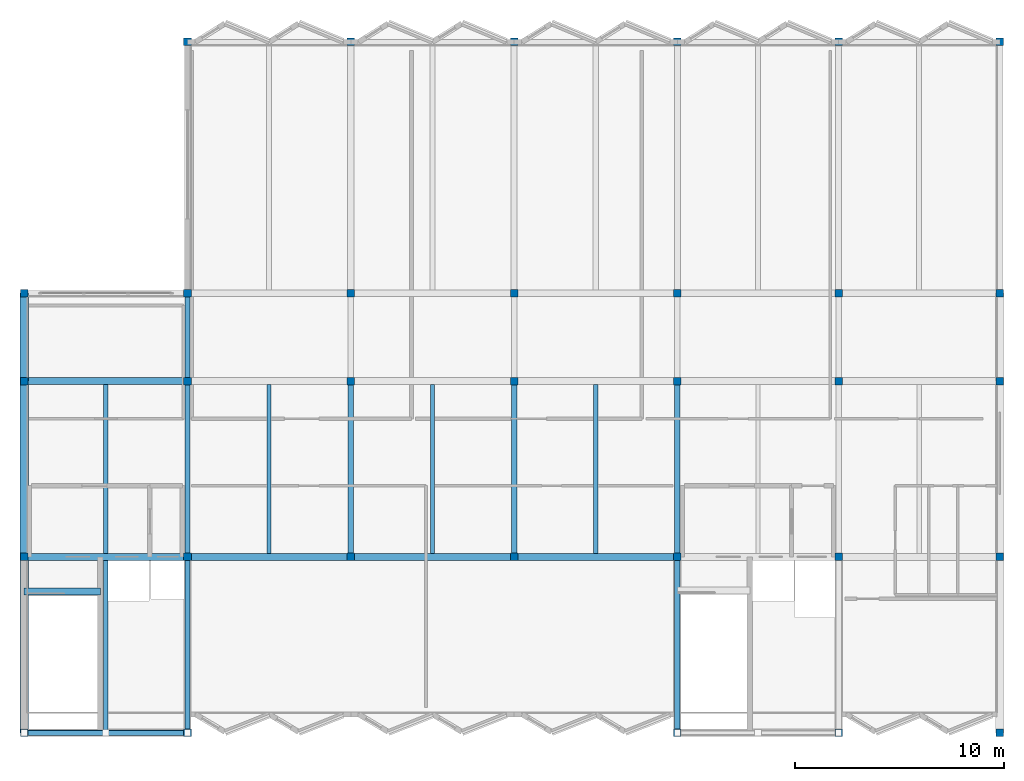
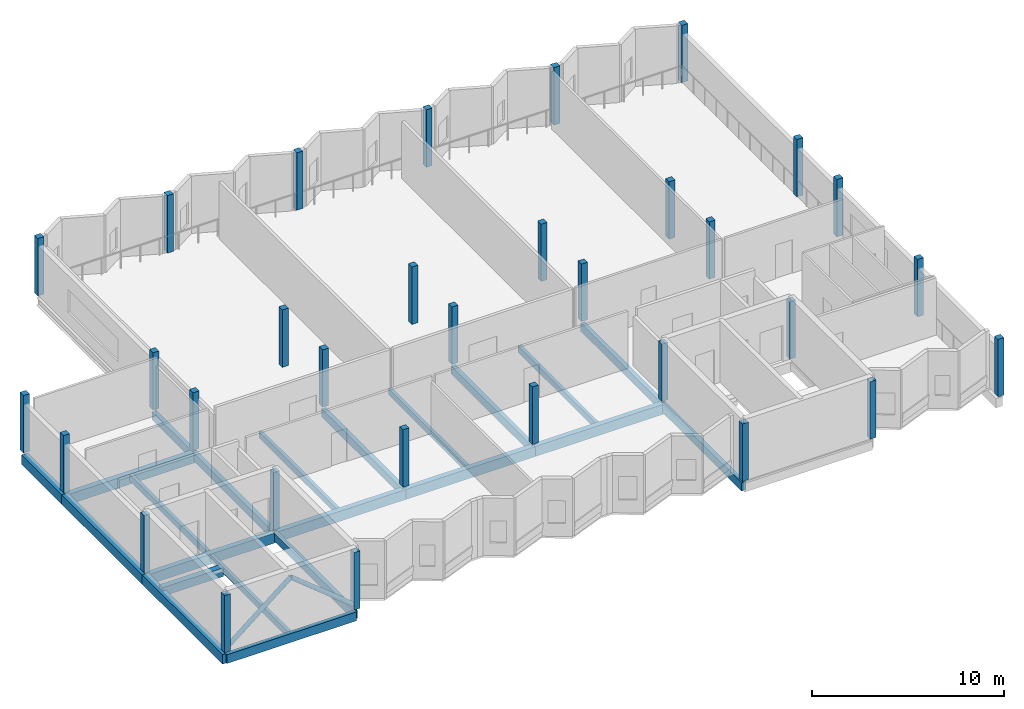
# One storey, part 1 of 8: 32 columns, 22 beams, 2 members.
"""IFC4 building model written with IfcOpenShell, lengths in metres."""

import ifcopenshell
import ifcopenshell.guid

model = None  # the IFC model being written
_history = None  # IfcOwnerHistory: only IFC2X3 demands one
_inside = {}  # id of a spatial element -> (the spatial element, [elements in it])
_under = {}  # id of a project, library or spatial element -> (it, [spatial elements below it])
_declared = {}  # id of a project -> (the project, [libraries it declares])
_typed = {}  # id of a type object -> (the type object, [elements of that type])
_made_of = {}  # id of a material, layer set ... -> (it, [elements and type objects made of it])


def new_model(schema):
    """Start an empty IFC model of exactly this schema.

    Asked for "IFC4X3", IfcOpenShell would pick the latest addendum, in which some entities
    have other attributes; the version numbers below select the first issue.
    IFC2X3 requires an IfcOwnerHistory on every rooted entity: one is made here for all.
    """
    global model, _history
    if schema == "IFC4X3":
        model = ifcopenshell.file(schema_version=(4, 3, 0, 0))
    else:
        model = ifcopenshell.file(schema=schema)
    _inside.clear()
    _under.clear()
    _declared.clear()
    _typed.clear()
    _made_of.clear()
    _history = None
    if model.schema == "IFC2X3":
        org = make("IfcOrganization", Name="unknown")
        user = make(
            "IfcPersonAndOrganization",
            ThePerson=make("IfcPerson", FamilyName="unknown"),
            TheOrganization=org,
        )
        app = make(
            "IfcApplication",
            ApplicationDeveloper=org,
            Version="unknown",
            ApplicationFullName="unknown",
            ApplicationIdentifier="unknown",
        )
        _history = make(
            "IfcOwnerHistory",
            OwningUser=user,
            OwningApplication=app,
            ChangeAction="ADDED",
            CreationDate=0,
        )
    return model


def make(cls, **values):
    """One entity of the class cls with the attributes given. An attribute that is None is left unset."""
    return model.create_entity(
        cls, **{name: value for name, value in values.items() if value is not None}
    )


def rooted(cls, **values):
    """An entity with a GlobalId (a new one), such as an element, a storey or a relation."""
    return make(cls, GlobalId=ifcopenshell.guid.new(), OwnerHistory=_history, **values)


def si_unit(unit_type, name, prefix=None):
    """IfcSIUnit, for example si_unit("LENGTHUNIT", "METRE", prefix="MILLI")."""
    return make("IfcSIUnit", UnitType=unit_type, Prefix=prefix, Name=name)


def assignment(units):
    """IfcUnitAssignment: the units of a project."""
    return None if units is None else make("IfcUnitAssignment", Units=units)


def point(xyz):
    """IfcCartesianPoint."""
    return None if xyz is None else make("IfcCartesianPoint", Coordinates=xyz)


def direction(xyz):
    """IfcDirection."""
    return None if xyz is None else make("IfcDirection", DirectionRatios=xyz)


def frame(location, z_axis=None, x_axis=None):
    """IfcAxis2Placement3D, a coordinate frame: its origin and axes. An axis left out is left unset."""
    return make(
        "IfcAxis2Placement3D",
        Location=point(location),
        Axis=direction(z_axis),
        RefDirection=direction(x_axis),
    )


def frame_2d(location, x_axis=None):
    """IfcAxis2Placement2D, a coordinate frame in the plane: its origin and x axis."""
    return make(
        "IfcAxis2Placement2D", Location=point(location), RefDirection=direction(x_axis)
    )


def origin():
    """The frame at (0, 0, 0) with its axes left unset."""
    return frame((0.0, 0.0, 0.0))


def origin_2d():
    """The frame at (0, 0) in the plane with its x axis left unset."""
    return frame_2d((0.0, 0.0))


def place(relative_to, where):
    """IfcLocalPlacement: puts the frame where relative to a parent placement (None: the world)."""
    return make(
        "IfcLocalPlacement", PlacementRelTo=relative_to, RelativePlacement=where
    )


def context(
    kind, dimensions, precision=None, world=None, true_north=None, identifier=None
):
    """IfcGeometricRepresentationContext, for example the 3D "Model" context."""
    return make(
        "IfcGeometricRepresentationContext",
        ContextIdentifier=identifier,
        ContextType=kind,
        CoordinateSpaceDimension=dimensions,
        Precision=precision,
        WorldCoordinateSystem=world,
        TrueNorth=true_north,
    )


def subcontext(parent, identifier, kind, view, scale=None):
    """IfcGeometricRepresentationSubContext, for example "Body" below "Model"."""
    return make(
        "IfcGeometricRepresentationSubContext",
        ContextIdentifier=identifier,
        ContextType=kind,
        ParentContext=parent,
        TargetScale=scale,
        TargetView=view,
    )


def project(units=None, contexts=None):
    """IfcProject with its units and contexts."""
    return rooted(
        "IfcProject",
        Name="project",
        RepresentationContexts=contexts,
        UnitsInContext=assignment(units),
    )


def spatial(cls, under=None, at=None, **own):
    """A site, building, storey or space (cls), placed at a placement, below another one or the project."""
    s = rooted(cls, ObjectPlacement=at, **own)
    if under is not None:
        _under.setdefault(under.id(), (under, []))[1].append(s)
    return s


def profile(cls, at=None, kind="AREA", **sizes):
    """A parametric profile (cls). Its sizes go by their IFC names, for example OverallWidth=200.0."""
    return make(cls, ProfileType=kind, Position=at, **sizes)


def rectangle(**sizes):
    """IfcRectangleProfileDef."""
    return profile("IfcRectangleProfileDef", **sizes)


def hollow_circle(**sizes):
    """IfcCircleHollowProfileDef."""
    return profile("IfcCircleHollowProfileDef", **sizes)


def extrude(swept, where, along, depth):
    """IfcExtrudedAreaSolid: the profile swept, set in the frame where, extruded along a direction by depth."""
    return make(
        "IfcExtrudedAreaSolid",
        SweptArea=swept,
        Position=where,
        ExtrudedDirection=direction(along),
        Depth=depth,
    )


def shape(context_of_items, identifier, shape_type, items):
    """IfcShapeRepresentation: the items that make up one representation, for example the "Body"."""
    return make(
        "IfcShapeRepresentation",
        ContextOfItems=context_of_items,
        RepresentationIdentifier=identifier,
        RepresentationType=shape_type,
        Items=items,
    )


def material(Name=None, Category=None):
    """IfcMaterial."""
    return make("IfcMaterial", Name=Name, Category=Category)


def material_profile(
    of_material, cross_section, Name=None, Category=None, Priority=None
):
    """IfcMaterialProfile: a cross section and its material."""
    return make(
        "IfcMaterialProfile",
        Name=Name,
        Material=of_material,
        Profile=cross_section,
        Priority=Priority,
        Category=Category,
    )


def profile_set(profiles, Name=None, composite=None):
    """IfcMaterialProfileSet."""
    return make(
        "IfcMaterialProfileSet",
        Name=Name,
        MaterialProfiles=profiles,
        CompositeProfile=composite,
    )


def made_of(thing, what):
    """Note that an element or type object is made of a material, layer set ...; save() writes the relation."""
    if what is not None:
        _made_of.setdefault(what.id(), (what, []))[1].append(thing)
    return thing


def type_object(cls, material=None, **own):
    """A type object (cls), such as IfcWallType, which elements share."""
    return made_of(rooted(cls, **own), material)


def element(
    cls,
    number,
    at=None,
    inside=None,
    cuts=None,
    type_object=None,
    material=None,
    context=None,
    identifier="Body",
    shape_type=None,
    held_by="IfcProductDefinitionShape",
    body=None,
    shapes=None,
    **own,
):
    """One element of the class cls, such as IfcWall. Its Tag is "e" and its number.

    at: its placement. inside: the storey or other place that contains it. cuts: it is an
    opening in that element (IfcRelVoidsElement). A single representation is given by context,
    identifier, shape_type and body (its items); several are given by shapes. held_by: the class
    of the entity that holds the representations. save() writes the other relations.
    """
    e = rooted(cls, Tag="e%d" % number, ObjectPlacement=at, **own)
    if body is not None:
        shapes = [shape(context, identifier, shape_type, body)]
    if shapes is not None:
        e.Representation = make(held_by, Representations=shapes)
    if inside is not None:
        _inside.setdefault(inside.id(), (inside, []))[1].append(e)
    if cuts is not None:
        rooted(
            "IfcRelVoidsElement", RelatingBuildingElement=cuts, RelatedOpeningElement=e
        )
    if type_object is not None:
        _typed.setdefault(type_object.id(), (type_object, []))[1].append(e)
    return made_of(e, material)


def aggregate(whole, parts):
    """IfcRelAggregates: a whole, such as a stair, and the parts it consists of."""
    return rooted("IfcRelAggregates", RelatingObject=whole, RelatedObjects=parts)


def save(model, path):
    """Write the relations noted so far, then the file.

    IfcRelAggregates (storeys below a building ...), IfcRelContainedInSpatialStructure (elements
    in a storey), IfcRelDefinesByType, IfcRelAssociatesMaterial and IfcRelDeclares: one each for
    every whole, place, type object, material and project.
    """
    for whole, parts in _under.values():
        aggregate(whole, parts)
    for where, things in _inside.values():
        rooted(
            "IfcRelContainedInSpatialStructure",
            RelatedElements=things,
            RelatingStructure=where,
        )
    for kind, things in _typed.values():
        rooted("IfcRelDefinesByType", RelatedObjects=things, RelatingType=kind)
    for what, things in _made_of.values():
        rooted("IfcRelAssociatesMaterial", RelatedObjects=things, RelatingMaterial=what)
    for by, libraries in _declared.values():
        rooted("IfcRelDeclares", RelatingContext=by, RelatedDefinitions=libraries)
    model.write(path)


model = new_model("IFC4")

# Units and contexts
model_context = context("Model", 3, precision=1e-05, world=origin(), true_north=direction((0.0, 1.0)))
body_context = subcontext(model_context, "Body", "Model", "MODEL_VIEW")
ifc_project = project(units=[si_unit("LENGTHUNIT", "METRE"), si_unit("AREAUNIT", "SQUARE_METRE"), si_unit("VOLUMEUNIT", "CUBIC_METRE"), si_unit("PLANEANGLEUNIT", "RADIAN"), si_unit("MASSUNIT", "GRAM", prefix="KILO")], contexts=[model_context])

# Site, building, storey
site_placement = place(None, origin())
site = spatial("IfcSite", under=ifc_project, at=site_placement, CompositionType="ELEMENT")
building_placement = place(site_placement, origin())
building = spatial("IfcBuilding", under=site, at=building_placement, Name="Vharandega Faculty of Natural Sciences", CompositionType="ELEMENT")
storey_placement = place(building_placement, frame((0.0, 0.0, 43.199951171875)))
storey = spatial("IfcBuildingStorey", under=building, at=storey_placement, Name="L11", CompositionType="ELEMENT", Elevation=43.199951171875)

# Columns
ifc_material_1 = material(Name="Glulam GL32h", Category="wood")
ifc_material_profile_1 = material_profile(ifc_material_1, rectangle(XDim=0.360107421875, YDim=0.360107421875, at=origin_2d()), Name="GL32h 360x360")
ifc_profile_set_1 = profile_set([ifc_material_profile_1], Name="Glulam GL32h")
column_type = type_object("IfcColumnType", Name="Glulam Column 360x360", PredefinedType="COLUMN", material=ifc_profile_set_1)
for number, where, z_axis, x_axis, name in (
    (1, (114.800048828125, 64.0, 0.0), (0.0, 0.0, 1.0), (1.0, 0.0, 0.0), "Column 15/J L11"),
    (2, (114.800048828125, 72.39990234375, 0.0), (0.0, 0.0, 1.0), (1.0, 0.0, 0.0), "Column 15/K L11"),
    (3, (114.800048828125, 80.800048828125, 0.0), (0.0, 0.0, 1.0), (1.0, 0.0, 0.0), "Column 15/L L11"),
    (4, (114.800048828125, 85.0, 0.0), (0.0, 0.0, 1.0), (1.0, 0.0, 0.0), "Column 15/M L11"),
    (5, (122.60009765625, 64.0, 0.0), (0.0, 0.0, 1.0), (1.0, 0.0, 0.0), "Column 16/J L11"),
    (6, (122.60009765625, 72.39990234375, 0.0), (0.0, 0.0, 1.0), (1.0, 0.0, 0.0), "Column 16/K L11"),
    (7, (122.60009765625, 80.800048828125, 0.0), (0.0, 0.0, 1.0), (1.0, 0.0, 0.0), "Column 16/L L11"),
    (8, (122.60009765625, 85.0, 0.0), (0.0, 0.0, 1.0), (1.0, 0.0, 0.0), "Column 16/M L11"),
    (9, (122.60009765625, 97.0, 0.0), (0.0, 0.0, 1.0), (1.0, 0.0, 0.0), "Column 16/N L11"),
    (10, (130.39990234375, 72.39990234375, 0.0), (0.0, 0.0, 1.0), (1.0, 0.0, 0.0), "Column 17/K L11"),
    (11, (130.39990234375, 80.800048828125, 0.0), (0.0, 0.0, 1.0), (1.0, 0.0, 0.0), "Column 17/L L11"),
    (12, (130.39990234375, 85.0, 0.0), (0.0, 0.0, 1.0), (1.0, 0.0, 0.0), "Column 17/M L11"),
    (13, (130.39990234375, 97.0, 0.0), (0.0, 0.0, 1.0), (1.0, 0.0, 0.0), "Column 17/N L11"),
    (14, (138.199951171875, 72.39990234375, 0.0), (0.0, 0.0, 1.0), (1.0, 0.0, 0.0), "Column 18/K L11"),
    (15, (138.199951171875, 80.800048828125, 0.0), (0.0, 0.0, 1.0), (1.0, 0.0, 0.0), "Column 18/L L11"),
    (16, (138.199951171875, 85.0, 0.0), (0.0, 0.0, 1.0), (1.0, 0.0, 0.0), "Column 18/M L11"),
    (17, (138.199951171875, 97.0, 0.0), (0.0, 0.0, 1.0), (1.0, 0.0, 0.0), "Column 18/N L11"),
    (18, (146.0, 64.0, 0.0), (0.0, 0.0, 1.0), (1.0, 0.0, 0.0), "Column 19/J L11"),
    (19, (146.0, 72.39990234375, 0.0), (0.0, 0.0, 1.0), (1.0, 0.0, 0.0), "Column 19/K L11"),
    (20, (146.0, 80.800048828125, 0.0), (0.0, 0.0, 1.0), (1.0, 0.0, 0.0), "Column 19/L L11"),
    (21, (146.0, 85.0, 0.0), (0.0, 0.0, 1.0), (1.0, 0.0, 0.0), "Column 19/M L11"),
    (22, (146.0, 97.0, 0.0), (0.0, 0.0, 1.0), (1.0, 0.0, 0.0), "Column 19/N L11"),
    (23, (153.699951171875, 64.0, 0.0), (0.0, 0.0, 1.0), (1.0, 0.0, 0.0), "Column 20/J L11"),
    (24, (153.699951171875, 72.39990234375, 0.0), (0.0, 0.0, 1.0), (1.0, 0.0, 0.0), "Column 20/K L11"),
    (25, (153.699951171875, 80.800048828125, 0.0), (0.0, 0.0, 1.0), (1.0, 0.0, 0.0), "Column 20/L L11"),
    (26, (153.699951171875, 85.0, 0.0), (0.0, 0.0, 1.0), (1.0, 0.0, 0.0), "Column 20/M L11"),
    (27, (153.699951171875, 97.0, 0.0), (0.0, 0.0, 1.0), (1.0, 0.0, 0.0), "Column 20/N L11"),
    (28, (161.39990234375, 64.0, 0.0), (0.0, 0.0, 1.0), (1.0, 0.0, 0.0), "Column 21/J L11"),
    (29, (161.39990234375, 72.39990234375, 0.0), (0.0, 0.0, 1.0), (1.0, 0.0, 0.0), "Column 21/K L11"),
    (30, (161.39990234375, 80.800048828125, 0.0), (0.0, 0.0, 1.0), (1.0, 0.0, 0.0), "Column 21/L L11"),
    (31, (161.39990234375, 85.0, 0.0), (0.0, 0.0, 1.0), (1.0, 0.0, 0.0), "Column 21/M L11"),
    (32, (161.39990234375, 97.0, 0.0), (0.0, 0.0, 1.0), (1.0, 0.0, 0.0), "Column 21/N L11"),
):
    element("IfcColumn", number, at=place(storey_placement, frame(where, z_axis=z_axis, x_axis=x_axis)), inside=storey, type_object=column_type, Name=name, PredefinedType="COLUMN", context=body_context, shape_type="SweptSolid", body=[
        extrude(rectangle(XDim=0.360107421875, YDim=0.360107421875, at=origin_2d()), origin(), (0.0, 0.0, 1.0), 3.66015625),
    ])

# Beams
ifc_material_2 = material(Name="Glulam GL28h", Category="wood")
ifc_material_profile_2 = material_profile(ifc_material_2, rectangle(XDim=0.260009765625, YDim=0.52001953125, at=origin_2d()), Name="GL28h 260x520")
ifc_profile_set_2 = profile_set([ifc_material_profile_2], Name="Glulam GL28h")
beam_type_1 = type_object("IfcBeamType", Name="Glulam Floor Beam 260x520", PredefinedType="BEAM", material=ifc_profile_set_2)
beam_1_placement = place(storey_placement, frame((122.60009765625, 64.0, -0.469970703125), z_axis=(0.0, 1.0, 0.0), x_axis=(-1.0, 0.0, 0.0)))
element("IfcBeam", 33, at=beam_1_placement, inside=storey, type_object=beam_type_1, Name="Beam L11 16/J-K", PredefinedType="BEAM", context=body_context, shape_type="SweptSolid", body=[
    extrude(rectangle(XDim=0.260009765625, YDim=0.52001953125, at=origin_2d()), origin(), (0.0, 0.0, 1.0), 8.39990234375),
])
beam_2_placement = place(storey_placement, frame((122.60009765625, 72.39990234375, -0.469970703125), z_axis=(0.0, 1.0, 0.0), x_axis=(-1.0, 0.0, 0.0)))
element("IfcBeam", 34, at=beam_2_placement, inside=storey, type_object=beam_type_1, Name="Beam L11 16/K-L", PredefinedType="BEAM", context=body_context, shape_type="SweptSolid", body=[
    extrude(rectangle(XDim=0.260009765625, YDim=0.52001953125, at=origin_2d()), origin(), (0.0, 0.0, 1.0), 8.400146484375),
])
beam_3_placement = place(storey_placement, frame((122.60009765625, 80.800048828125, -0.469970703125), z_axis=(0.0, 1.0, 0.0), x_axis=(-1.0, 0.0, 0.0)))
element("IfcBeam", 35, at=beam_3_placement, inside=storey, type_object=beam_type_1, Name="Beam L11 16/L-M", PredefinedType="BEAM", context=body_context, shape_type="SweptSolid", body=[
    extrude(rectangle(XDim=0.260009765625, YDim=0.52001953125, at=origin_2d()), origin(), (0.0, 0.0, 1.0), 4.199951171875),
])
for number, where, z_axis, x_axis, name in (
    (36, (130.39990234375, 72.39990234375, -0.469970703125), (0.0, 1.0, 0.0), (-1.0, 0.0, 0.0), "Beam L11 17/K-L"),
    (37, (138.199951171875, 72.39990234375, -0.469970703125), (0.0, 1.0, 0.0), (-1.0, 0.0, 0.0), "Beam L11 18/K-L"),
):
    element("IfcBeam", number, at=place(storey_placement, frame(where, z_axis=z_axis, x_axis=x_axis)), inside=storey, type_object=beam_type_1, Name=name, PredefinedType="BEAM", context=body_context, shape_type="SweptSolid", body=[
        extrude(rectangle(XDim=0.260009765625, YDim=0.52001953125, at=origin_2d()), origin(), (0.0, 0.0, 1.0), 8.400146484375),
    ])
beam_4_placement = place(storey_placement, frame((146.0, 64.0, -0.469970703125), z_axis=(0.0, 1.0, 0.0), x_axis=(-1.0, 0.0, 0.0)))
element("IfcBeam", 38, at=beam_4_placement, inside=storey, type_object=beam_type_1, Name="Beam L11 19/J-K", PredefinedType="BEAM", context=body_context, shape_type="SweptSolid", body=[
    extrude(rectangle(XDim=0.260009765625, YDim=0.52001953125, at=origin_2d()), origin(), (0.0, 0.0, 1.0), 8.39990234375),
])
beam_5_placement = place(storey_placement, frame((146.0, 72.39990234375, -0.469970703125), z_axis=(0.0, 1.0, 0.0), x_axis=(-1.0, 0.0, 0.0)))
element("IfcBeam", 39, at=beam_5_placement, inside=storey, type_object=beam_type_1, Name="Beam L11 19/K-L", PredefinedType="BEAM", context=body_context, shape_type="SweptSolid", body=[
    extrude(rectangle(XDim=0.260009765625, YDim=0.52001953125, at=origin_2d()), origin(), (0.0, 0.0, 1.0), 8.400146484375),
])
ifc_material_3 = material(Name="Glulam GL28h", Category="wood")
ifc_material_profile_3 = material_profile(ifc_material_3, rectangle(XDim=0.320068359375, YDim=0.639892578125, at=origin_2d()), Name="GL28h 320x640")
ifc_profile_set_3 = profile_set([ifc_material_profile_3], Name="Glulam GL28h")
beam_type_2 = type_object("IfcBeamType", Name="Glulam Floor Beam 320x640", PredefinedType="BEAM", material=ifc_profile_set_3)
beam_6_placement = place(storey_placement, frame((114.800048828125, 72.39990234375, -0.530029296875), z_axis=(1.0, 0.0, 0.0), x_axis=(0.0, 1.0, 0.0)))
element("IfcBeam", 40, at=beam_6_placement, inside=storey, type_object=beam_type_2, Name="Beam L11 K/15-16", PredefinedType="BEAM", context=body_context, shape_type="SweptSolid", body=[
    extrude(rectangle(XDim=0.320068359375, YDim=0.639892578125, at=origin_2d()), origin(), (0.0, 0.0, 1.0), 7.800048828125),
])
beam_7_placement = place(storey_placement, frame((122.60009765625, 72.39990234375, -0.530029296875), z_axis=(1.0, 0.0, 0.0), x_axis=(0.0, 1.0, 0.0)))
element("IfcBeam", 41, at=beam_7_placement, inside=storey, type_object=beam_type_2, Name="Beam L11 K/16-17", PredefinedType="BEAM", context=body_context, shape_type="SweptSolid", body=[
    extrude(rectangle(XDim=0.320068359375, YDim=0.639892578125, at=origin_2d()), origin(), (0.0, 0.0, 1.0), 7.7998046875),
])
for number, where, z_axis, x_axis, name in (
    (42, (130.39990234375, 72.39990234375, -0.530029296875), (1.0, 0.0, 0.0), (0.0, 1.0, 0.0), "Beam L11 K/17-18"),
    (43, (138.199951171875, 72.39990234375, -0.530029296875), (1.0, 0.0, 0.0), (0.0, 1.0, 0.0), "Beam L11 K/18-19"),
    (44, (114.800048828125, 80.800048828125, -0.530029296875), (1.0, 0.0, 0.0), (0.0, 1.0, 0.0), "Beam L11 L/15-16"),
):
    element("IfcBeam", number, at=place(storey_placement, frame(where, z_axis=z_axis, x_axis=x_axis)), inside=storey, type_object=beam_type_2, Name=name, PredefinedType="BEAM", context=body_context, shape_type="SweptSolid", body=[
        extrude(rectangle(XDim=0.320068359375, YDim=0.639892578125, at=origin_2d()), origin(), (0.0, 0.0, 1.0), 7.800048828125),
    ])
ifc_material_4 = material(Name="Glulam GL28h", Category="wood")
ifc_material_profile_4 = material_profile(ifc_material_4, rectangle(XDim=0.199951171875, YDim=0.39990234375, at=origin_2d()), Name="GL28h 200x400")
ifc_profile_set_4 = profile_set([ifc_material_profile_4], Name="Glulam GL28h")
beam_type_3 = type_object("IfcBeamType", Name="Glulam Secondary Joist 200x400", PredefinedType="JOIST", material=ifc_profile_set_4)
beam_8_placement = place(storey_placement, frame((118.699951171875, 64.1201171875, -0.409912109375), z_axis=(0.0, 1.0, 0.0), x_axis=(-1.0, 0.0, 0.0)))
element("IfcBeam", 45, at=beam_8_placement, inside=storey, type_object=beam_type_3, Name="Secondary Joist L11 15-16/J-K", PredefinedType="JOIST", context=body_context, shape_type="SweptSolid", body=[
    extrude(rectangle(XDim=0.199951171875, YDim=0.39990234375, at=origin_2d()), origin(), (0.0, 0.0, 1.0), 8.119873046875),
])
for number, where, z_axis, x_axis, name in (
    (46, (118.699951171875, 72.56005859375, -0.409912109375), (0.0, 1.0, 0.0), (-1.0, 0.0, 0.0), "Secondary Joist L11 15-16/K-L"),
    (47, (126.5, 72.56005859375, -0.409912109375), (0.0, 1.0, 0.0), (-1.0, 0.0, 0.0), "Secondary Joist L11 16-17/K-L"),
    (48, (134.300048828125, 72.56005859375, -0.409912109375), (0.0, 1.0, 0.0), (-1.0, 0.0, 0.0), "Secondary Joist L11 17-18/K-L"),
    (49, (142.10009765625, 72.56005859375, -0.409912109375), (0.0, 1.0, 0.0), (-1.0, 0.0, 0.0), "Secondary Joist L11 18-19/K-L"),
):
    element("IfcBeam", number, at=place(storey_placement, frame(where, z_axis=z_axis, x_axis=x_axis)), inside=storey, type_object=beam_type_3, Name=name, PredefinedType="JOIST", context=body_context, shape_type="SweptSolid", body=[
        extrude(rectangle(XDim=0.199951171875, YDim=0.39990234375, at=origin_2d()), origin(), (0.0, 0.0, 1.0), 8.079833984375),
    ])
ifc_material_5 = material(Name="Glulam GL28h", Category="wood")
ifc_material_profile_5 = material_profile(ifc_material_5, rectangle(XDim=0.239990234375, YDim=0.56005859375, at=origin_2d()), Name="GL28h 240x560")
ifc_profile_set_5 = profile_set([ifc_material_profile_5], Name="Glulam GL28h")
beam_type_4 = type_object("IfcBeamType", Name="Glulam Spandrel Edge Beam 240x560", PredefinedType="SPANDREL", material=ifc_profile_set_5)
beam_9_placement = place(storey_placement, frame((114.800048828125, 64.0, -0.489990234375), z_axis=(1.0, 0.0, 0.0), x_axis=(0.0, 1.0, 0.0)))
element("IfcBeam", 50, at=beam_9_placement, inside=storey, type_object=beam_type_4, Name="Beam L11 J/15-16", PredefinedType="SPANDREL", context=body_context, shape_type="SweptSolid", body=[
    extrude(rectangle(XDim=0.239990234375, YDim=0.56005859375, at=origin_2d()), origin(), (0.0, 0.0, 1.0), 7.800048828125),
])
ifc_material_6 = material(Name="Glulam GL32h", Category="wood")
ifc_material_profile_6 = material_profile(ifc_material_6, rectangle(XDim=0.39990234375, YDim=0.60009765625, at=origin_2d()), Name="GL32h 400x600")
ifc_profile_set_6 = profile_set([ifc_material_profile_6], Name="Glulam GL32h")
beam_type_5 = type_object("IfcBeamType", Name="Glulam Spine Girder 400x600", PredefinedType="BEAM", material=ifc_profile_set_6)
beam_10_placement = place(storey_placement, frame((114.800048828125, 64.0, -0.510009765625), z_axis=(0.0, 1.0, 0.0), x_axis=(-1.0, 0.0, 0.0)))
element("IfcBeam", 51, at=beam_10_placement, inside=storey, type_object=beam_type_5, Name="Beam L11 15/J-K", PredefinedType="BEAM", context=body_context, shape_type="SweptSolid", body=[
    extrude(rectangle(XDim=0.39990234375, YDim=0.60009765625, at=origin_2d()), origin(), (0.0, 0.0, 1.0), 8.39990234375),
])
beam_11_placement = place(storey_placement, frame((114.800048828125, 72.39990234375, -0.510009765625), z_axis=(0.0, 1.0, 0.0), x_axis=(-1.0, 0.0, 0.0)))
element("IfcBeam", 52, at=beam_11_placement, inside=storey, type_object=beam_type_5, Name="Beam L11 15/K-L", PredefinedType="BEAM", context=body_context, shape_type="SweptSolid", body=[
    extrude(rectangle(XDim=0.39990234375, YDim=0.60009765625, at=origin_2d()), origin(), (0.0, 0.0, 1.0), 8.400146484375),
])
beam_12_placement = place(storey_placement, frame((114.800048828125, 80.800048828125, -0.510009765625), z_axis=(0.0, 1.0, 0.0), x_axis=(-1.0, 0.0, 0.0)))
element("IfcBeam", 53, at=beam_12_placement, inside=storey, type_object=beam_type_5, Name="Beam L11 15/L-M", PredefinedType="BEAM", context=body_context, shape_type="SweptSolid", body=[
    extrude(rectangle(XDim=0.39990234375, YDim=0.60009765625, at=origin_2d()), origin(), (0.0, 0.0, 1.0), 4.199951171875),
])

# Members
ifc_material_7 = material(Name="Steel S355", Category="steel")
ifc_material_profile_7 = material_profile(ifc_material_7, hollow_circle(Radius=0.136474609375, WallThickness=0.01611328125, at=origin_2d()), Name="CHS 273x16")
ifc_profile_set_7 = profile_set([ifc_material_profile_7], Name="Steel S355")
member_type = type_object("IfcMemberType", Name="Perimeter Chevron Brace CHS 273", PredefinedType="BRACE", material=ifc_profile_set_7)
member_1_placement = place(storey_placement, frame((114.800048828125, 64.0, 0.150146484375), z_axis=(0.776967283473, 0.0, 0.62954097596), x_axis=(0.0, 1.0, 0.0)))
element("IfcMember", 54, at=member_1_placement, inside=storey, type_object=member_type, Name="Chevron Brace J L11-1", PredefinedType="BRACE", context=body_context, shape_type="SweptSolid", body=[
    extrude(hollow_circle(Radius=0.136474609375, WallThickness=0.01611328125, at=origin_2d()), origin(), (0.0, 0.0, 1.0), 5.019287109375),
])
member_2_placement = place(storey_placement, frame((122.60009765625, 64.0, 0.150146484375), z_axis=(-0.776986559274, 0.0, 0.629517185395), x_axis=(0.0, -1.0, 0.0)))
element("IfcMember", 55, at=member_2_placement, inside=storey, type_object=member_type, Name="Chevron Brace J L11-2", PredefinedType="BRACE", context=body_context, shape_type="SweptSolid", body=[
    extrude(hollow_circle(Radius=0.136474609375, WallThickness=0.01611328125, at=origin_2d()), origin(), (0.0, 0.0, 1.0), 5.01953125),
])

# Beam
ifc_material_8 = material(Name="Concrete C40/50", Category="concrete")
ifc_material_profile_8 = material_profile(ifc_material_8, rectangle(XDim=0.35009765625, YDim=0.550048828125, at=origin_2d()), Name="RC 350x550")
ifc_profile_set_8 = profile_set([ifc_material_profile_8], Name="Concrete C40/50")
beam_type_6 = type_object("IfcBeamType", Name="Stair Header Trimmer Beam 350x550", PredefinedType="BEAM", material=ifc_profile_set_8)
beam_13_placement = place(storey_placement, frame((114.800048828125, 70.75, -0.27490234375), z_axis=(1.0, 0.0, 0.0), x_axis=(0.0, 1.0, 0.0)))
element("IfcBeam", 56, at=beam_13_placement, inside=storey, type_object=beam_type_6, Name="Stair Landing Trimmer Beam C1 L11", PredefinedType="BEAM", context=body_context, shape_type="SweptSolid", body=[
    extrude(rectangle(XDim=0.35009765625, YDim=0.550048828125, at=origin_2d()), origin(), (0.0, 0.0, 1.0), 3.639892578125),
])

save(model, "model.ifc")
